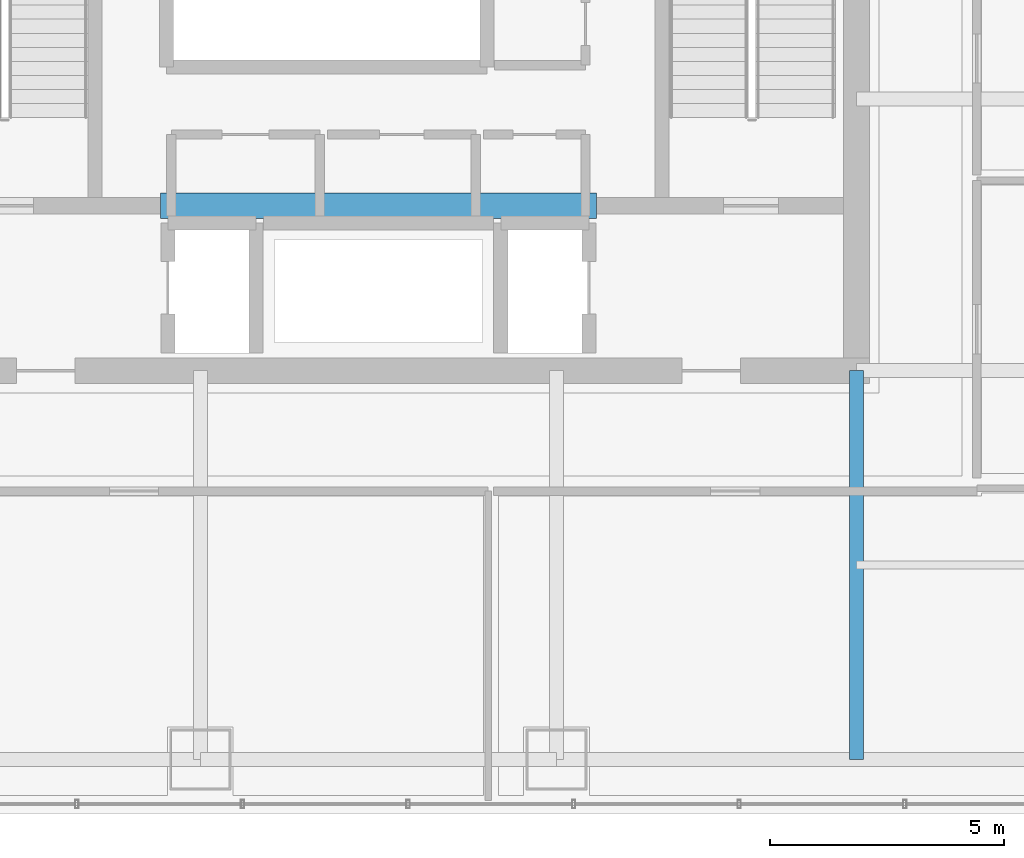
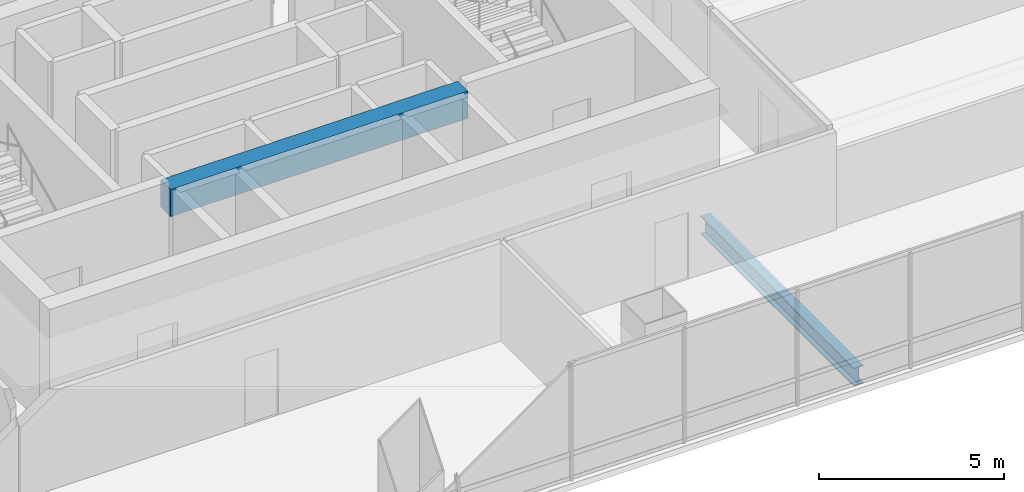
# One storey, part 9 of 39: 2 beams.
"""IFC4 building model written with IfcOpenShell, lengths in metres."""

from ifc_helpers import new_model, si_unit, direction, frame, origin, origin_2d, place, context, subcontext, project, spatial, rectangle, i_section, extrude, material, material_profile, profile_set, type_object, element, save


model = new_model("IFC4")

# Units and contexts
model_context = context("Model", 3, precision=1e-05, world=origin(), true_north=direction((0.0, 1.0)))
body_context = subcontext(model_context, "Body", "Model", "MODEL_VIEW")
ifc_project = project(units=[si_unit("LENGTHUNIT", "METRE"), si_unit("AREAUNIT", "SQUARE_METRE"), si_unit("VOLUMEUNIT", "CUBIC_METRE"), si_unit("PLANEANGLEUNIT", "RADIAN"), si_unit("MASSUNIT", "GRAM", prefix="KILO")], contexts=[model_context])

# Site, building, storey
site_placement = place(None, origin())
site = spatial("IfcSite", under=ifc_project, at=site_placement, CompositionType="ELEMENT")
building_placement = place(site_placement, origin())
building = spatial("IfcBuilding", under=site, at=building_placement, Name="Punatoya Terracotta Tower", CompositionType="ELEMENT")
storey_placement = place(building_placement, frame((0.0, 0.0, 275.699951171875)))
storey = spatial("IfcBuildingStorey", under=building, at=storey_placement, Name="L65", CompositionType="ELEMENT", Elevation=275.699951171875)

# Beams
ifc_material_1 = material(Name="Steel S355", Category="steel")
ifc_material_profile_1 = material_profile(ifc_material_1, i_section(OverallWidth=0.300048828125, OverallDepth=0.60009765625, WebThickness=0.015380859375, FlangeThickness=0.030029296875, FilletRadius=0.01806640625, at=origin_2d()))
ifc_profile_set_1 = profile_set([ifc_material_profile_1], Name="Steel S355")
beam_type_1 = type_object("IfcBeamType", Name="BM-PRI-600", PredefinedType="BEAM", material=ifc_profile_set_1)
beam_1_placement = place(storey_placement, frame((10.199951171875, -17.5, -0.5), z_axis=(0.0, 1.0, 0.0), x_axis=(-1.0, 0.0, 0.0)))
element("IfcBeam", 1, at=beam_1_placement, inside=storey, type_object=beam_type_1, Name="BM-L65-PR-S4", PredefinedType="BEAM", context=body_context, shape_type="SweptSolid", body=[
    extrude(i_section(OverallWidth=0.300048828125, OverallDepth=0.60009765625, WebThickness=0.015380859375, FlangeThickness=0.030029296875, FilletRadius=0.01806640625, at=origin_2d()), origin(), (0.0, 0.0, 1.0), 8.300048828125),
])
ifc_material_2 = material(Name="Concrete C50/60", Category="concrete")
ifc_material_profile_2 = material_profile(ifc_material_2, rectangle(XDim=0.550048828125, YDim=0.89990234375, at=origin_2d()))
ifc_profile_set_2 = profile_set([ifc_material_profile_2], Name="Concrete C50/60")
beam_type_2 = type_object("IfcBeamType", Name="BM-RC-900", PredefinedType="LINTEL", material=ifc_profile_set_2)
beam_2_placement = place(storey_placement, frame((-4.64990234375, -5.679931640625, 3.400146484375), z_axis=(1.0, 0.0, 0.0), x_axis=(0.0, 1.0, 0.0)))
element("IfcBeam", 2, at=beam_2_placement, inside=storey, type_object=beam_type_2, Name="L65 Core Coupling Lintel CSW", PredefinedType="LINTEL", context=body_context, shape_type="SweptSolid", body=[
    extrude(rectangle(XDim=0.550048828125, YDim=0.89990234375, at=origin_2d()), origin(), (0.0, 0.0, 1.0), 9.2998046875),
])

save(model, "model.ifc")
